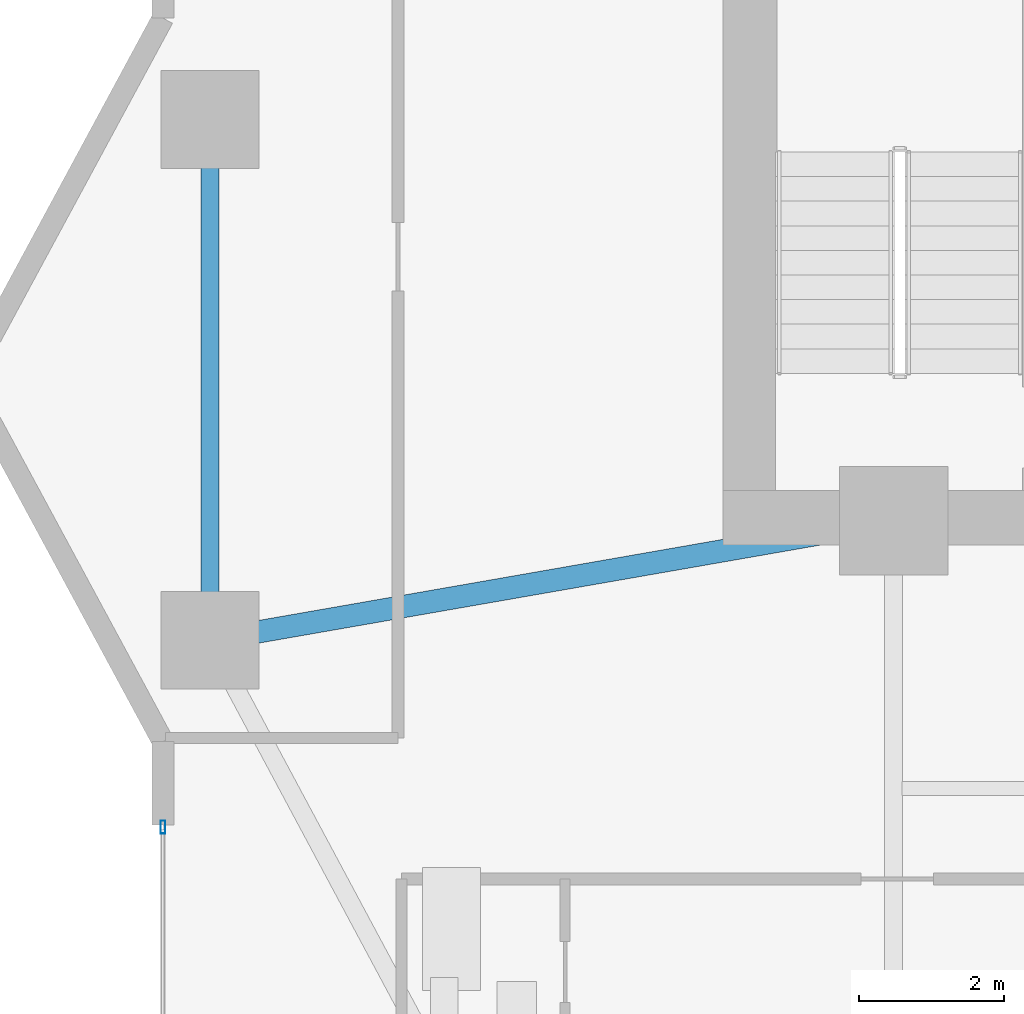
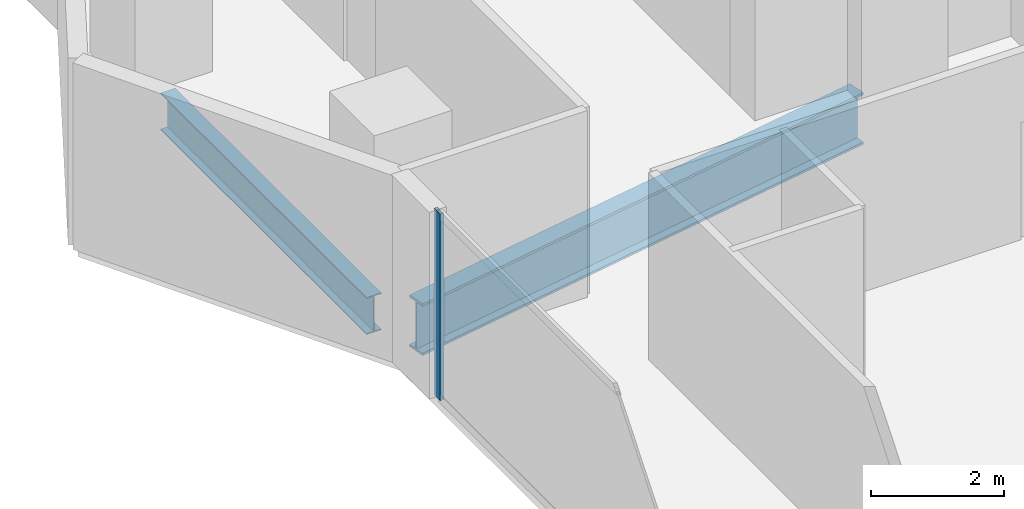
# One storey, part 7 of 27: 2 beams, 1 member, 1 element without a shape of its own.
"""IFC4 building model written with IfcOpenShell, lengths in metres."""

from ifc_helpers import new_model, si_unit, direction, frame, origin, origin_2d, place, context, subcontext, project, spatial, hollow_rectangle, i_section, extrude, material, layer, layer_set, material_profile, profile_set, type_object, element, aggregate, save


model = new_model("IFC4")

# Units and contexts
model_context = context("Model", 3, precision=1e-05, world=origin(), true_north=direction((0.0, 1.0)))
body_context = subcontext(model_context, "Body", "Model", "MODEL_VIEW")
ifc_project = project(units=[si_unit("LENGTHUNIT", "METRE"), si_unit("AREAUNIT", "SQUARE_METRE"), si_unit("VOLUMEUNIT", "CUBIC_METRE"), si_unit("PLANEANGLEUNIT", "RADIAN"), si_unit("MASSUNIT", "GRAM", prefix="KILO")], contexts=[model_context])

# Site, building, storey
site_placement = place(None, origin())
site = spatial("IfcSite", under=ifc_project, at=site_placement, CompositionType="ELEMENT")
building_placement = place(site_placement, origin())
building = spatial("IfcBuilding", under=site, at=building_placement, Name="Zuhayl Quay Hotel", CompositionType="ELEMENT")
storey_placement = place(building_placement, frame((0.0, 0.0, 117.550048828125)))
storey = spatial("IfcBuildingStorey", under=building, at=storey_placement, Name="L29", CompositionType="ELEMENT", Elevation=117.550048828125)

# Beams
ifc_material_1 = material(Name="Steel ASTM A992 Grade 50", Category="steel")
ifc_material_profile_1 = material_profile(ifc_material_1, i_section(OverallWidth=0.25390625, OverallDepth=0.68310546875, WebThickness=0.012451171875, FlangeThickness=0.018798828125, at=origin_2d()), Name="W27X94")
ifc_profile_set_1 = profile_set([ifc_material_profile_1], Name="Steel ASTM A992 Grade 50")
beam_type_1 = type_object("IfcBeamType", Name="BM_B2_W27X94", PredefinedType="BEAM", material=ifc_profile_set_1)
beam_1_placement = place(storey_placement, frame((-23.25, 9.60009765625, -0.5615234375), z_axis=(0.0, -1.0, 0.0), x_axis=(1.0, 0.0, 0.0)))
element("IfcBeam", 1, at=beam_1_placement, inside=storey, type_object=beam_type_1, Name="L29 Floor Beam RG_L29_11", PredefinedType="BEAM", context=body_context, shape_type="SweptSolid", body=[
    extrude(i_section(OverallWidth=0.25390625, OverallDepth=0.68310546875, WebThickness=0.012451171875, FlangeThickness=0.018798828125, at=origin_2d()), origin(), (0.0, 0.0, 1.0), 6.2001953125),
])
ifc_material_profile_2 = material_profile(ifc_material_1, i_section(OverallWidth=0.31005859375, OverallDepth=0.949951171875, WebThickness=0.0244140625, FlangeThickness=0.0439453125, at=origin_2d()), Name="W36X256")
ifc_profile_set_2 = profile_set([ifc_material_profile_2], Name="Steel ASTM A992 Grade 50")
beam_type_2 = type_object("IfcBeamType", Name="BM_PG1_W36X256", PredefinedType="BEAM", material=ifc_profile_set_2)
beam_2_placement = place(storey_placement, frame((-22.757568359375, 2.986083984375, -0.695068359375), z_axis=(0.985097302632, 0.171997977741, 0.0), x_axis=(-0.171997977741, 0.985097302632, 0.0)))
element("IfcBeam", 2, at=beam_2_placement, inside=storey, type_object=beam_type_2, Name="L29 Floor Beam FG_W_L29_1", PredefinedType="BEAM", context=body_context, shape_type="SweptSolid", body=[
    extrude(i_section(OverallWidth=0.31005859375, OverallDepth=0.949951171875, WebThickness=0.0244140625, FlangeThickness=0.0439453125, at=origin_2d()), origin(), (0.0, 0.0, 1.0), 8.64306640625),
])

# Curtain wall, member
ifc_material_2 = material(Name="Anodised Aluminium 6063-T6", Category="aluminium")
ifc_layer = layer(ifc_material_2, 0.179931640625, Name="Anodised Aluminium 6063-T6", Category="aluminium")
ifc_layer_set = layer_set([ifc_layer], Name="Anodised Aluminium 6063-T6")
curtain_wall_type = type_object("IfcCurtainWallType", Name="CW_SYS_Z2", PredefinedType="USERDEFINED", material=ifc_layer_set)
curtain_wall_placement = place(storey_placement, origin())
curtain_wall = element("IfcCurtainWall", 3, at=curtain_wall_placement, inside=storey, type_object=curtain_wall_type, Name="L29 Curtain Wall ENV_L29_E02_CW1", ObjectType="UNITISED CURTAIN WALL", PredefinedType="USERDEFINED")
ifc_material_3 = material(Name="Black-anodised aluminium 6063-T6", Category="aluminium")
ifc_material_profile_3 = material_profile(ifc_material_3, hollow_rectangle(XDim=0.06494140625, YDim=0.179931640625, WallThickness=0.00341796875, at=origin_2d()), Name="ALU180X65")
ifc_profile_set_3 = profile_set([ifc_material_profile_3], Name="Black-anodised aluminium 6063-T6")
member_type = type_object("IfcMemberType", Name="MB_CW_MUL_180", PredefinedType="MULLION", material=ifc_profile_set_3)
member_placement = place(storey_placement, frame((-23.89990234375, 0.3173828125, 0.0), z_axis=(0.0, 0.0, 1.0), x_axis=(-1.0, 0.0, 0.0)))
member = element("IfcMember", 4, at=member_placement, type_object=member_type, Name="CW-Z2 mullion 2", PredefinedType="MULLION", context=body_context, shape_type="SweptSolid", body=[
    extrude(hollow_rectangle(XDim=0.06494140625, YDim=0.179931640625, WallThickness=0.00341796875, at=origin_2d()), origin(), (0.0, 0.0, 1.0), 3.429931640625),
])
aggregate(curtain_wall, [member])

save(model, "model.ifc")
